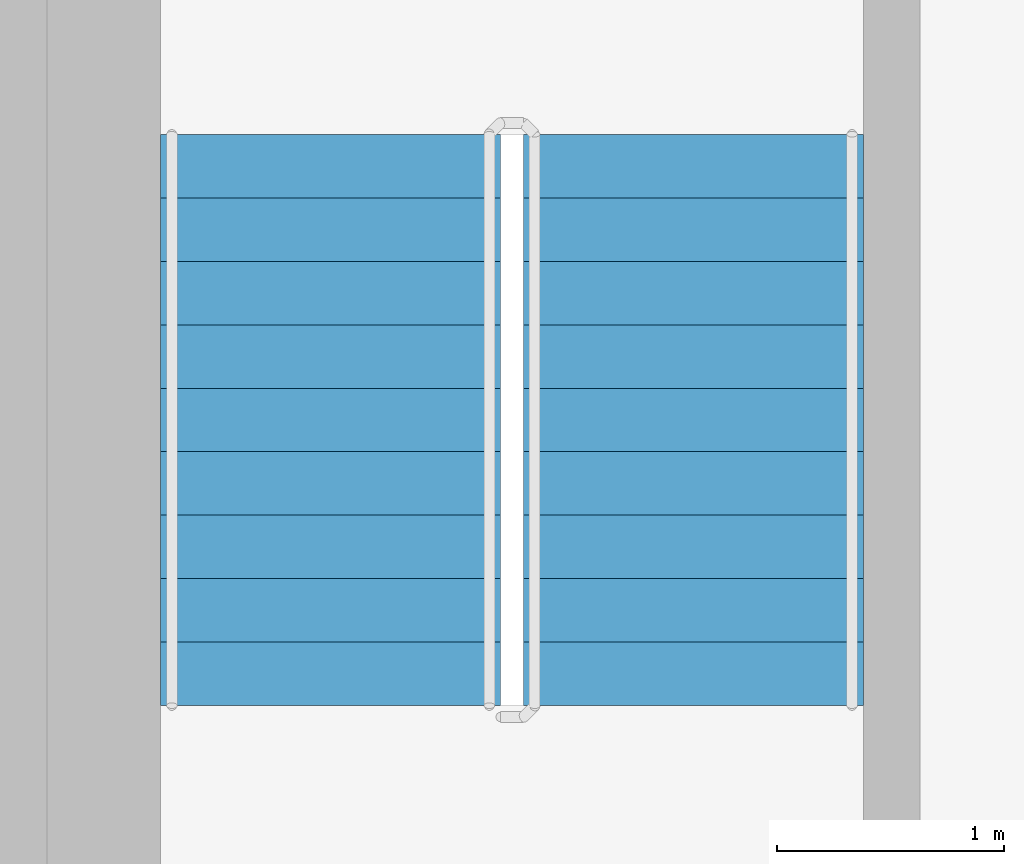
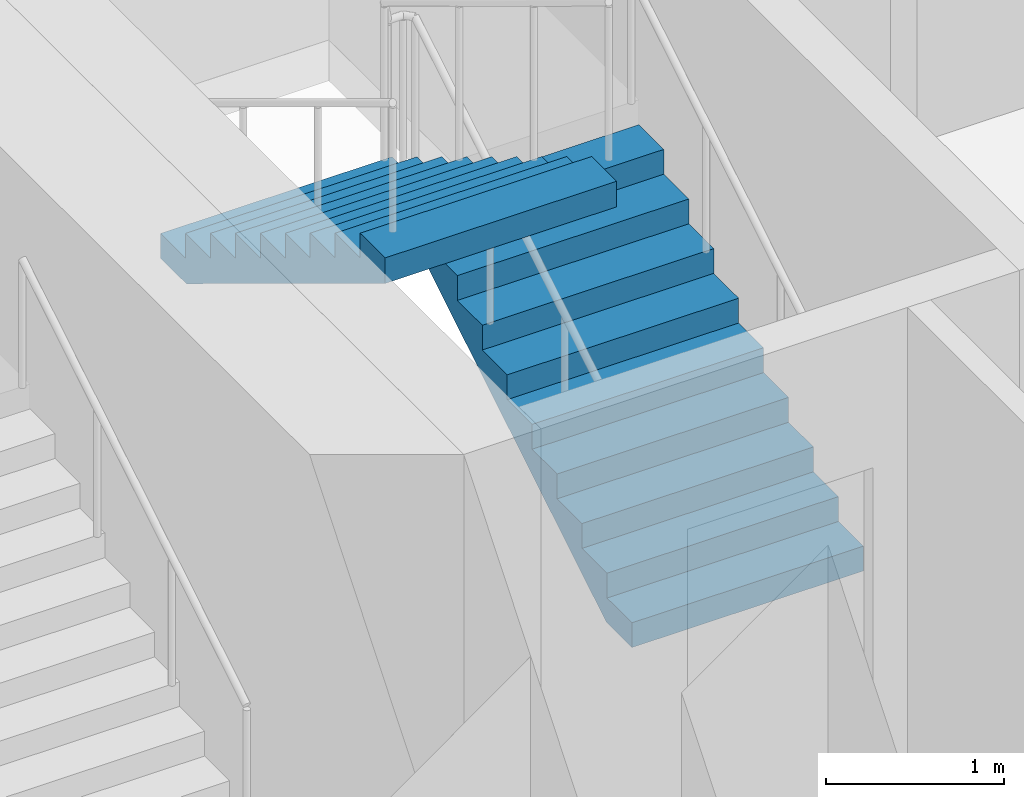
# One storey, part 12 of 20: 2 stair flights, 1 element without a shape of its own.
"""IFC4 building model written with IfcOpenShell, lengths in metres."""

from ifc_helpers import new_model, si_unit, direction, frame, origin, place, context, subcontext, project, spatial, triangles, source, transform, mapped, material, type_object, element, aggregate, save


model = new_model("IFC4")

# Units and contexts
model_context = context("Model", 3, precision=1e-05, world=origin(), true_north=direction((0.0, 1.0)))
body_context = subcontext(model_context, "Body", "Model", "MODEL_VIEW")
ifc_project = project(units=[si_unit("LENGTHUNIT", "METRE"), si_unit("AREAUNIT", "SQUARE_METRE"), si_unit("VOLUMEUNIT", "CUBIC_METRE"), si_unit("PLANEANGLEUNIT", "RADIAN"), si_unit("MASSUNIT", "GRAM", prefix="KILO")], contexts=[model_context])

# Site, building, storey
site_placement = place(None, origin())
site = spatial("IfcSite", under=ifc_project, at=site_placement, CompositionType="ELEMENT")
building_placement = place(site_placement, origin())
building = spatial("IfcBuilding", under=site, at=building_placement, Name="Kilnfold Tower and Market Hall", CompositionType="ELEMENT")
storey_placement = place(building_placement, frame((0.0, 0.0, 239.0)))
storey = spatial("IfcBuildingStorey", under=building, at=storey_placement, Name="L57", CompositionType="ELEMENT", Elevation=239.0)

# Stair, stair flights
ifc_material_1 = material(Name="Concrete C40/50", Category="concrete")
stair_type = type_object("IfcStairType", Name="CORE STAIR 1500", PredefinedType="HALF_TURN_STAIR", material=ifc_material_1)
stair_placement = place(storey_placement, origin())
stair = element("IfcStair", 1, at=stair_placement, inside=storey, type_object=stair_type, Name="L57 ST5", PredefinedType="HALF_TURN_STAIR")
ifc_material_2 = material(Name="Concrete C40/50", Category="concrete")
stair_flight_type = type_object("IfcStairFlightType", Name="CORE STAIR FLIGHT 1500", PredefinedType="STRAIGHT", material=ifc_material_2)
shared_shape = source(origin(), body_context, "Body", "Tessellation", [
    triangles([(0.0, 0.75, 0.0), (0.0, 0.65625, 0.0), (0.0, 0.5625, 0.0), (0.0, 0.46875, 0.0), (0.0, 0.375, 0.0), (0.0, 0.28125, 0.0), (0.0, 0.1875, 0.0), (0.0, 0.09375, 0.0), (0.0, 0.0, 0.0), (0.0, -0.09375, 0.0), (0.0, -0.1875, 0.0), (0.0, -0.28125, 0.0), (0.0, -0.375, 0.0), (0.0, -0.46875, 0.0), (0.0, -0.5625, 0.0), (0.0, -0.65625, 0.0), (0.0, -0.75, 0.0), (0.0, 0.75, 0.169921875), (0.0, 0.65625, 0.169921875), (0.0, 0.5625, 0.169921875), (0.0, 0.46875, 0.169921875), (0.0, 0.375, 0.169921875), (0.0, 0.28125, 0.169921875), (0.0, 0.1875, 0.169921875), (0.0, 0.09375, 0.169921875), (0.0, 0.0, 0.169921875), (0.0, -0.09375, 0.169921875), (0.0, -0.1875, 0.169921875), (0.0, -0.28125, 0.169921875), (0.0, -0.375, 0.169921875), (0.0, -0.46875, 0.169921875), (0.0, -0.5625, 0.169921875), (0.0, -0.65625, 0.169921875), (0.0, -0.75, 0.169921875), (0.280029296875, 0.75, 0.169921875), (0.280029296875, 0.65625, 0.169921875), (0.280029296875, 0.5625, 0.169921875), (0.280029296875, 0.46875, 0.169921875), (0.280029296875, 0.375, 0.169921875), (0.280029296875, 0.28125, 0.169921875), (0.280029296875, 0.1875, 0.169921875), (0.280029296875, 0.09375, 0.169921875), (0.280029296875, 0.0, 0.169921875), (0.280029296875, -0.09375, 0.169921875), (0.280029296875, -0.1875, 0.169921875), (0.280029296875, -0.28125, 0.169921875), (0.280029296875, -0.375, 0.169921875), (0.280029296875, -0.46875, 0.169921875), (0.280029296875, -0.5625, 0.169921875), (0.280029296875, -0.65625, 0.169921875), (0.280029296875, -0.75, 0.169921875), (0.280029296875, 0.75, 0.340087890625), (0.280029296875, 0.65625, 0.340087890625), (0.280029296875, 0.5625, 0.340087890625), (0.280029296875, 0.46875, 0.340087890625), (0.280029296875, 0.375, 0.340087890625), (0.280029296875, 0.28125, 0.340087890625), (0.280029296875, 0.1875, 0.340087890625), (0.280029296875, 0.09375, 0.340087890625), (0.280029296875, 0.0, 0.340087890625), (0.280029296875, -0.09375, 0.340087890625), (0.280029296875, -0.1875, 0.340087890625), (0.280029296875, -0.28125, 0.340087890625), (0.280029296875, -0.375, 0.340087890625), (0.280029296875, -0.46875, 0.340087890625), (0.280029296875, -0.5625, 0.340087890625), (0.280029296875, -0.65625, 0.340087890625), (0.280029296875, -0.75, 0.340087890625), (0.56005859375, 0.75, 0.340087890625), (0.56005859375, 0.65625, 0.340087890625), (0.56005859375, 0.5625, 0.340087890625), (0.56005859375, 0.46875, 0.340087890625), (0.56005859375, 0.375, 0.340087890625), (0.56005859375, 0.28125, 0.340087890625), (0.56005859375, 0.1875, 0.340087890625), (0.56005859375, 0.09375, 0.340087890625), (0.56005859375, 0.0, 0.340087890625), (0.56005859375, -0.09375, 0.340087890625), (0.56005859375, -0.1875, 0.340087890625), (0.56005859375, -0.28125, 0.340087890625), (0.56005859375, -0.375, 0.340087890625), (0.56005859375, -0.46875, 0.340087890625), (0.56005859375, -0.5625, 0.340087890625), (0.56005859375, -0.65625, 0.340087890625), (0.56005859375, -0.75, 0.340087890625), (0.56005859375, 0.75, 0.510009765625), (0.56005859375, 0.65625, 0.510009765625), (0.56005859375, 0.5625, 0.510009765625), (0.56005859375, 0.46875, 0.510009765625), (0.56005859375, 0.375, 0.510009765625), (0.56005859375, 0.28125, 0.510009765625), (0.56005859375, 0.1875, 0.510009765625), (0.56005859375, 0.09375, 0.510009765625), (0.56005859375, 0.0, 0.510009765625), (0.56005859375, -0.09375, 0.510009765625), (0.56005859375, -0.1875, 0.510009765625), (0.56005859375, -0.28125, 0.510009765625), (0.56005859375, -0.375, 0.510009765625), (0.56005859375, -0.46875, 0.510009765625), (0.56005859375, -0.5625, 0.510009765625), (0.56005859375, -0.65625, 0.510009765625), (0.56005859375, -0.75, 0.510009765625), (0.840087890625, 0.75, 0.510009765625), (0.840087890625, 0.65625, 0.510009765625), (0.840087890625, 0.5625, 0.510009765625), (0.840087890625, 0.46875, 0.510009765625), (0.840087890625, 0.375, 0.510009765625), (0.840087890625, 0.28125, 0.510009765625), (0.840087890625, 0.1875, 0.510009765625), (0.840087890625, 0.09375, 0.510009765625), (0.840087890625, 0.0, 0.510009765625), (0.840087890625, -0.09375, 0.510009765625), (0.840087890625, -0.1875, 0.510009765625), (0.840087890625, -0.28125, 0.510009765625), (0.840087890625, -0.375, 0.510009765625), (0.840087890625, -0.46875, 0.510009765625), (0.840087890625, -0.5625, 0.510009765625), (0.840087890625, -0.65625, 0.510009765625), (0.840087890625, -0.75, 0.510009765625), (0.840087890625, 0.75, 0.679931640625), (0.840087890625, 0.65625, 0.679931640625), (0.840087890625, 0.5625, 0.679931640625), (0.840087890625, 0.46875, 0.679931640625), (0.840087890625, 0.375, 0.679931640625), (0.840087890625, 0.28125, 0.679931640625), (0.840087890625, 0.1875, 0.679931640625), (0.840087890625, 0.09375, 0.679931640625), (0.840087890625, 0.0, 0.679931640625), (0.840087890625, -0.09375, 0.679931640625), (0.840087890625, -0.1875, 0.679931640625), (0.840087890625, -0.28125, 0.679931640625), (0.840087890625, -0.375, 0.679931640625), (0.840087890625, -0.46875, 0.679931640625), (0.840087890625, -0.5625, 0.679931640625), (0.840087890625, -0.65625, 0.679931640625), (0.840087890625, -0.75, 0.679931640625), (1.1201171875, 0.75, 0.679931640625), (1.1201171875, 0.65625, 0.679931640625), (1.1201171875, 0.5625, 0.679931640625), (1.1201171875, 0.46875, 0.679931640625), (1.1201171875, 0.375, 0.679931640625), (1.1201171875, 0.28125, 0.679931640625), (1.1201171875, 0.1875, 0.679931640625), (1.1201171875, 0.09375, 0.679931640625), (1.1201171875, 0.0, 0.679931640625), (1.1201171875, -0.09375, 0.679931640625), (1.1201171875, -0.1875, 0.679931640625), (1.1201171875, -0.28125, 0.679931640625), (1.1201171875, -0.375, 0.679931640625), (1.1201171875, -0.46875, 0.679931640625), (1.1201171875, -0.5625, 0.679931640625), (1.1201171875, -0.65625, 0.679931640625), (1.1201171875, -0.75, 0.679931640625), (1.1201171875, 0.75, 0.85009765625), (1.1201171875, 0.65625, 0.85009765625), (1.1201171875, 0.5625, 0.85009765625), (1.1201171875, 0.46875, 0.85009765625), (1.1201171875, 0.375, 0.85009765625), (1.1201171875, 0.28125, 0.85009765625), (1.1201171875, 0.1875, 0.85009765625), (1.1201171875, 0.09375, 0.85009765625), (1.1201171875, 0.0, 0.85009765625), (1.1201171875, -0.09375, 0.85009765625), (1.1201171875, -0.1875, 0.85009765625), (1.1201171875, -0.28125, 0.85009765625), (1.1201171875, -0.375, 0.85009765625), (1.1201171875, -0.46875, 0.85009765625), (1.1201171875, -0.5625, 0.85009765625), (1.1201171875, -0.65625, 0.85009765625), (1.1201171875, -0.75, 0.85009765625), (1.39990234375, 0.75, 0.85009765625), (1.39990234375, 0.65625, 0.85009765625), (1.39990234375, 0.5625, 0.85009765625), (1.39990234375, 0.46875, 0.85009765625), (1.39990234375, 0.375, 0.85009765625), (1.39990234375, 0.28125, 0.85009765625), (1.39990234375, 0.1875, 0.85009765625), (1.39990234375, 0.09375, 0.85009765625), (1.39990234375, 0.0, 0.85009765625), (1.39990234375, -0.09375, 0.85009765625), (1.39990234375, -0.1875, 0.85009765625), (1.39990234375, -0.28125, 0.85009765625), (1.39990234375, -0.375, 0.85009765625), (1.39990234375, -0.46875, 0.85009765625), (1.39990234375, -0.5625, 0.85009765625), (1.39990234375, -0.65625, 0.85009765625), (1.39990234375, -0.75, 0.85009765625), (1.39990234375, 0.75, 1.02001953125), (1.39990234375, 0.65625, 1.02001953125), (1.39990234375, 0.5625, 1.02001953125), (1.39990234375, 0.46875, 1.02001953125), (1.39990234375, 0.375, 1.02001953125), (1.39990234375, 0.28125, 1.02001953125), (1.39990234375, 0.1875, 1.02001953125), (1.39990234375, 0.09375, 1.02001953125), (1.39990234375, 0.0, 1.02001953125), (1.39990234375, -0.09375, 1.02001953125), (1.39990234375, -0.1875, 1.02001953125), (1.39990234375, -0.28125, 1.02001953125), (1.39990234375, -0.375, 1.02001953125), (1.39990234375, -0.46875, 1.02001953125), (1.39990234375, -0.5625, 1.02001953125), (1.39990234375, -0.65625, 1.02001953125), (1.39990234375, -0.75, 1.02001953125), (1.679931640625, 0.75, 1.02001953125), (1.679931640625, 0.65625, 1.02001953125), (1.679931640625, 0.5625, 1.02001953125), (1.679931640625, 0.46875, 1.02001953125), (1.679931640625, 0.375, 1.02001953125), (1.679931640625, 0.28125, 1.02001953125), (1.679931640625, 0.1875, 1.02001953125), (1.679931640625, 0.09375, 1.02001953125), (1.679931640625, 0.0, 1.02001953125), (1.679931640625, -0.09375, 1.02001953125), (1.679931640625, -0.1875, 1.02001953125), (1.679931640625, -0.28125, 1.02001953125), (1.679931640625, -0.375, 1.02001953125), (1.679931640625, -0.46875, 1.02001953125), (1.679931640625, -0.5625, 1.02001953125), (1.679931640625, -0.65625, 1.02001953125), (1.679931640625, -0.75, 1.02001953125), (1.679931640625, 0.75, 1.18994140625), (1.679931640625, 0.65625, 1.18994140625), (1.679931640625, 0.5625, 1.18994140625), (1.679931640625, 0.46875, 1.18994140625), (1.679931640625, 0.375, 1.18994140625), (1.679931640625, 0.28125, 1.18994140625), (1.679931640625, 0.1875, 1.18994140625), (1.679931640625, 0.09375, 1.18994140625), (1.679931640625, 0.0, 1.18994140625), (1.679931640625, -0.09375, 1.18994140625), (1.679931640625, -0.1875, 1.18994140625), (1.679931640625, -0.28125, 1.18994140625), (1.679931640625, -0.375, 1.18994140625), (1.679931640625, -0.46875, 1.18994140625), (1.679931640625, -0.5625, 1.18994140625), (1.679931640625, -0.65625, 1.18994140625), (1.679931640625, -0.75, 1.18994140625), (1.9599609375, 0.75, 1.18994140625), (1.9599609375, 0.65625, 1.18994140625), (1.9599609375, 0.5625, 1.18994140625), (1.9599609375, 0.46875, 1.18994140625), (1.9599609375, 0.375, 1.18994140625), (1.9599609375, 0.28125, 1.18994140625), (1.9599609375, 0.1875, 1.18994140625), (1.9599609375, 0.09375, 1.18994140625), (1.9599609375, 0.0, 1.18994140625), (1.9599609375, -0.09375, 1.18994140625), (1.9599609375, -0.1875, 1.18994140625), (1.9599609375, -0.28125, 1.18994140625), (1.9599609375, -0.375, 1.18994140625), (1.9599609375, -0.46875, 1.18994140625), (1.9599609375, -0.5625, 1.18994140625), (1.9599609375, -0.65625, 1.18994140625), (1.9599609375, -0.75, 1.18994140625), (1.9599609375, 0.75, 1.360107421875), (1.9599609375, 0.65625, 1.360107421875), (1.9599609375, 0.5625, 1.360107421875), (1.9599609375, 0.46875, 1.360107421875), (1.9599609375, 0.375, 1.360107421875), (1.9599609375, 0.28125, 1.360107421875), (1.9599609375, 0.1875, 1.360107421875), (1.9599609375, 0.09375, 1.360107421875), (1.9599609375, 0.0, 1.360107421875), (1.9599609375, -0.09375, 1.360107421875), (1.9599609375, -0.1875, 1.360107421875), (1.9599609375, -0.28125, 1.360107421875), (1.9599609375, -0.375, 1.360107421875), (1.9599609375, -0.46875, 1.360107421875), (1.9599609375, -0.5625, 1.360107421875), (1.9599609375, -0.65625, 1.360107421875), (1.9599609375, -0.75, 1.360107421875), (2.239990234375, 0.75, 1.360107421875), (2.239990234375, 0.65625, 1.360107421875), (2.239990234375, 0.5625, 1.360107421875), (2.239990234375, 0.46875, 1.360107421875), (2.239990234375, 0.375, 1.360107421875), (2.239990234375, 0.28125, 1.360107421875), (2.239990234375, 0.1875, 1.360107421875), (2.239990234375, 0.09375, 1.360107421875), (2.239990234375, 0.0, 1.360107421875), (2.239990234375, -0.09375, 1.360107421875), (2.239990234375, -0.1875, 1.360107421875), (2.239990234375, -0.28125, 1.360107421875), (2.239990234375, -0.375, 1.360107421875), (2.239990234375, -0.46875, 1.360107421875), (2.239990234375, -0.5625, 1.360107421875), (2.239990234375, -0.65625, 1.360107421875), (2.239990234375, -0.75, 1.360107421875), (2.239990234375, 0.75, 1.530029296875), (2.239990234375, 0.65625, 1.530029296875), (2.239990234375, 0.5625, 1.530029296875), (2.239990234375, 0.46875, 1.530029296875), (2.239990234375, 0.375, 1.530029296875), (2.239990234375, 0.28125, 1.530029296875), (2.239990234375, 0.1875, 1.530029296875), (2.239990234375, 0.09375, 1.530029296875), (2.239990234375, 0.0, 1.530029296875), (2.239990234375, -0.09375, 1.530029296875), (2.239990234375, -0.1875, 1.530029296875), (2.239990234375, -0.28125, 1.530029296875), (2.239990234375, -0.375, 1.530029296875), (2.239990234375, -0.46875, 1.530029296875), (2.239990234375, -0.5625, 1.530029296875), (2.239990234375, -0.65625, 1.530029296875), (2.239990234375, -0.75, 1.530029296875), (2.52001953125, 0.75, 1.530029296875), (2.52001953125, 0.65625, 1.530029296875), (2.52001953125, 0.5625, 1.530029296875), (2.52001953125, 0.46875, 1.530029296875), (2.52001953125, 0.375, 1.530029296875), (2.52001953125, 0.28125, 1.530029296875), (2.52001953125, 0.1875, 1.530029296875), (2.52001953125, 0.09375, 1.530029296875), (2.52001953125, 0.0, 1.530029296875), (2.52001953125, -0.09375, 1.530029296875), (2.52001953125, -0.1875, 1.530029296875), (2.52001953125, -0.28125, 1.530029296875), (2.52001953125, -0.375, 1.530029296875), (2.52001953125, -0.46875, 1.530029296875), (2.52001953125, -0.5625, 1.530029296875), (2.52001953125, -0.65625, 1.530029296875), (2.52001953125, -0.75, 1.530029296875), (2.52001953125, 0.75, 1.354736328125), (2.52001953125, 0.65625, 1.354736328125), (2.52001953125, 0.5625, 1.354736328125), (2.52001953125, 0.46875, 1.354736328125), (2.52001953125, 0.375, 1.354736328125), (2.52001953125, 0.28125, 1.354736328125), (2.52001953125, 0.1875, 1.354736328125), (2.52001953125, 0.09375, 1.354736328125), (2.52001953125, 0.0, 1.354736328125), (2.52001953125, -0.09375, 1.354736328125), (2.52001953125, -0.1875, 1.354736328125), (2.52001953125, -0.28125, 1.354736328125), (2.52001953125, -0.375, 1.354736328125), (2.52001953125, -0.46875, 1.354736328125), (2.52001953125, -0.5625, 1.354736328125), (2.52001953125, -0.65625, 1.354736328125), (2.52001953125, -0.75, 1.354736328125), (0.288818359375, 0.75, 0.0), (0.288818359375, 0.65625, 0.0), (0.288818359375, 0.5625, 0.0), (0.288818359375, 0.46875, 0.0), (0.288818359375, 0.375, 0.0), (0.288818359375, 0.28125, 0.0), (0.288818359375, 0.1875, 0.0), (0.288818359375, 0.09375, 0.0), (0.288818359375, 0.0, 0.0), (0.288818359375, -0.09375, 0.0), (0.288818359375, -0.1875, 0.0), (0.288818359375, -0.28125, 0.0), (0.288818359375, -0.375, 0.0), (0.288818359375, -0.46875, 0.0), (0.288818359375, -0.5625, 0.0), (0.288818359375, -0.65625, 0.0), (0.288818359375, -0.75, 0.0)], [[1, 324, 341], [17, 357, 340], [324, 290, 307], [340, 323, 306], [324, 273, 290], [340, 306, 289], [324, 256, 273], [340, 289, 272], [324, 239, 256], [340, 272, 255], [239, 205, 222], [255, 238, 221], [324, 205, 239], [340, 255, 221], [205, 171, 188], [221, 204, 187], [324, 171, 205], [340, 221, 187], [171, 137, 154], [187, 170, 153], [324, 137, 171], [340, 187, 153], [137, 103, 120], [153, 136, 119], [324, 103, 137], [340, 153, 119], [103, 69, 86], [119, 102, 85], [324, 69, 103], [340, 119, 85], [69, 35, 52], [85, 68, 51], [324, 35, 69], [340, 85, 51], [1, 35, 324], [17, 340, 51], [35, 1, 18], [51, 34, 17], [1, 19, 18], [1, 2, 19], [2, 20, 19], [2, 3, 20], [3, 21, 20], [3, 4, 21], [4, 22, 21], [4, 5, 22], [5, 23, 22], [5, 6, 23], [6, 24, 23], [6, 7, 24], [7, 25, 24], [7, 8, 25], [8, 26, 25], [8, 9, 26], [9, 27, 26], [9, 10, 27], [10, 28, 27], [10, 11, 28], [11, 29, 28], [11, 12, 29], [12, 30, 29], [12, 13, 30], [13, 31, 30], [13, 14, 31], [14, 32, 31], [14, 15, 32], [15, 33, 32], [15, 16, 33], [16, 34, 33], [16, 17, 34], [18, 36, 35], [18, 19, 36], [19, 37, 36], [19, 20, 37], [20, 38, 37], [20, 21, 38], [21, 39, 38], [21, 22, 39], [22, 40, 39], [22, 23, 40], [23, 41, 40], [23, 24, 41], [24, 42, 41], [24, 25, 42], [25, 43, 42], [25, 26, 43], [26, 44, 43], [26, 27, 44], [27, 45, 44], [27, 28, 45], [28, 46, 45], [28, 29, 46], [29, 47, 46], [29, 30, 47], [30, 48, 47], [30, 31, 48], [31, 49, 48], [31, 32, 49], [32, 50, 49], [32, 33, 50], [33, 51, 50], [33, 34, 51], [35, 53, 52], [35, 36, 53], [36, 54, 53], [36, 37, 54], [37, 55, 54], [37, 38, 55], [38, 56, 55], [38, 39, 56], [39, 57, 56], [39, 40, 57], [40, 58, 57], [40, 41, 58], [41, 59, 58], [41, 42, 59], [42, 60, 59], [42, 43, 60], [43, 61, 60], [43, 44, 61], [44, 62, 61], [44, 45, 62], [45, 63, 62], [45, 46, 63], [46, 64, 63], [46, 47, 64], [47, 65, 64], [47, 48, 65], [48, 66, 65], [48, 49, 66], [49, 67, 66], [49, 50, 67], [50, 68, 67], [50, 51, 68], [52, 70, 69], [52, 53, 70], [53, 71, 70], [53, 54, 71], [54, 72, 71], [54, 55, 72], [55, 73, 72], [55, 56, 73], [56, 74, 73], [56, 57, 74], [57, 75, 74], [57, 58, 75], [58, 76, 75], [58, 59, 76], [59, 77, 76], [59, 60, 77], [60, 78, 77], [60, 61, 78], [61, 79, 78], [61, 62, 79], [62, 80, 79], [62, 63, 80], [63, 81, 80], [63, 64, 81], [64, 82, 81], [64, 65, 82], [65, 83, 82], [65, 66, 83], [66, 84, 83], [66, 67, 84], [67, 85, 84], [67, 68, 85], [69, 87, 86], [69, 70, 87], [70, 88, 87], [70, 71, 88], [71, 89, 88], [71, 72, 89], [72, 90, 89], [72, 73, 90], [73, 91, 90], [73, 74, 91], [74, 92, 91], [74, 75, 92], [75, 93, 92], [75, 76, 93], [76, 94, 93], [76, 77, 94], [77, 95, 94], [77, 78, 95], [78, 96, 95], [78, 79, 96], [79, 97, 96], [79, 80, 97], [80, 98, 97], [80, 81, 98], [81, 99, 98], [81, 82, 99], [82, 100, 99], [82, 83, 100], [83, 101, 100], [83, 84, 101], [84, 102, 101], [84, 85, 102], [86, 104, 103], [86, 87, 104], [87, 105, 104], [87, 88, 105], [88, 106, 105], [88, 89, 106], [89, 107, 106], [89, 90, 107], [90, 108, 107], [90, 91, 108], [91, 109, 108], [91, 92, 109], [92, 110, 109], [92, 93, 110], [93, 111, 110], [93, 94, 111], [94, 112, 111], [94, 95, 112], [95, 113, 112], [95, 96, 113], [96, 114, 113], [96, 97, 114], [97, 115, 114], [97, 98, 115], [98, 116, 115], [98, 99, 116], [99, 117, 116], [99, 100, 117], [100, 118, 117], [100, 101, 118], [101, 119, 118], [101, 102, 119], [103, 121, 120], [103, 104, 121], [104, 122, 121], [104, 105, 122], [105, 123, 122], [105, 106, 123], [106, 124, 123], [106, 107, 124], [107, 125, 124], [107, 108, 125], [108, 126, 125], [108, 109, 126], [109, 127, 126], [109, 110, 127], [110, 128, 127], [110, 111, 128], [111, 129, 128], [111, 112, 129], [112, 130, 129], [112, 113, 130], [113, 131, 130], [113, 114, 131], [114, 132, 131], [114, 115, 132], [115, 133, 132], [115, 116, 133], [116, 134, 133], [116, 117, 134], [117, 135, 134], [117, 118, 135], [118, 136, 135], [118, 119, 136], [120, 138, 137], [120, 121, 138], [121, 139, 138], [121, 122, 139], [122, 140, 139], [122, 123, 140], [123, 141, 140], [123, 124, 141], [124, 142, 141], [124, 125, 142], [125, 143, 142], [125, 126, 143], [126, 144, 143], [126, 127, 144], [127, 145, 144], [127, 128, 145], [128, 146, 145], [128, 129, 146], [129, 147, 146], [129, 130, 147], [130, 148, 147], [130, 131, 148], [131, 149, 148], [131, 132, 149], [132, 150, 149], [132, 133, 150], [133, 151, 150], [133, 134, 151], [134, 152, 151], [134, 135, 152], [135, 153, 152], [135, 136, 153], [137, 155, 154], [137, 138, 155], [138, 156, 155], [138, 139, 156], [139, 157, 156], [139, 140, 157], [140, 158, 157], [140, 141, 158], [141, 159, 158], [141, 142, 159], [142, 160, 159], [142, 143, 160], [143, 161, 160], [143, 144, 161], [144, 162, 161], [144, 145, 162], [145, 163, 162], [145, 146, 163], [146, 164, 163], [146, 147, 164], [147, 165, 164], [147, 148, 165], [148, 166, 165], [148, 149, 166], [149, 167, 166], [149, 150, 167], [150, 168, 167], [150, 151, 168], [151, 169, 168], [151, 152, 169], [152, 170, 169], [152, 153, 170], [154, 172, 171], [154, 155, 172], [155, 173, 172], [155, 156, 173], [156, 174, 173], [156, 157, 174], [157, 175, 174], [157, 158, 175], [158, 176, 175], [158, 159, 176], [159, 177, 176], [159, 160, 177], [160, 178, 177], [160, 161, 178], [161, 179, 178], [161, 162, 179], [162, 180, 179], [162, 163, 180], [163, 181, 180], [163, 164, 181], [164, 182, 181], [164, 165, 182], [165, 183, 182], [165, 166, 183], [166, 184, 183], [166, 167, 184], [167, 185, 184], [167, 168, 185], [168, 186, 185], [168, 169, 186], [169, 187, 186], [169, 170, 187], [171, 189, 188], [171, 172, 189], [172, 190, 189], [172, 173, 190], [173, 191, 190], [173, 174, 191], [174, 192, 191], [174, 175, 192], [175, 193, 192], [175, 176, 193], [176, 194, 193], [176, 177, 194], [177, 195, 194], [177, 178, 195], [178, 196, 195], [178, 179, 196], [179, 197, 196], [179, 180, 197], [180, 198, 197], [180, 181, 198], [181, 199, 198], [181, 182, 199], [182, 200, 199], [182, 183, 200], [183, 201, 200], [183, 184, 201], [184, 202, 201], [184, 185, 202], [185, 203, 202], [185, 186, 203], [186, 204, 203], [186, 187, 204], [188, 206, 205], [188, 189, 206], [189, 207, 206], [189, 190, 207], [190, 208, 207], [190, 191, 208], [191, 209, 208], [191, 192, 209], [192, 210, 209], [192, 193, 210], [193, 211, 210], [193, 194, 211], [194, 212, 211], [194, 195, 212], [195, 213, 212], [195, 196, 213], [196, 214, 213], [196, 197, 214], [197, 215, 214], [197, 198, 215], [198, 216, 215], [198, 199, 216], [199, 217, 216], [199, 200, 217], [200, 218, 217], [200, 201, 218], [201, 219, 218], [201, 202, 219], [202, 220, 219], [202, 203, 220], [203, 221, 220], [203, 204, 221], [205, 223, 222], [205, 206, 223], [206, 224, 223], [206, 207, 224], [207, 225, 224], [207, 208, 225], [208, 226, 225], [208, 209, 226], [209, 227, 226], [209, 210, 227], [210, 228, 227], [210, 211, 228], [211, 229, 228], [211, 212, 229], [212, 230, 229], [212, 213, 230], [213, 231, 230], [213, 214, 231], [214, 232, 231], [214, 215, 232], [215, 233, 232], [215, 216, 233], [216, 234, 233], [216, 217, 234], [217, 235, 234], [217, 218, 235], [218, 236, 235], [218, 219, 236], [219, 237, 236], [219, 220, 237], [220, 238, 237], [220, 221, 238], [222, 240, 239], [222, 223, 240], [223, 241, 240], [223, 224, 241], [224, 242, 241], [224, 225, 242], [225, 243, 242], [225, 226, 243], [226, 244, 243], [226, 227, 244], [227, 245, 244], [227, 228, 245], [228, 246, 245], [228, 229, 246], [229, 247, 246], [229, 230, 247], [230, 248, 247], [230, 231, 248], [231, 249, 248], [231, 232, 249], [232, 250, 249], [232, 233, 250], [233, 251, 250], [233, 234, 251], [234, 252, 251], [234, 235, 252], [235, 253, 252], [235, 236, 253], [236, 254, 253], [236, 237, 254], [237, 255, 254], [237, 238, 255], [239, 257, 256], [239, 240, 257], [240, 258, 257], [240, 241, 258], [241, 259, 258], [241, 242, 259], [242, 260, 259], [242, 243, 260], [243, 261, 260], [243, 244, 261], [244, 262, 261], [244, 245, 262], [245, 263, 262], [245, 246, 263], [246, 264, 263], [246, 247, 264], [247, 265, 264], [247, 248, 265], [248, 266, 265], [248, 249, 266], [249, 267, 266], [249, 250, 267], [250, 268, 267], [250, 251, 268], [251, 269, 268], [251, 252, 269], [252, 270, 269], [252, 253, 270], [253, 271, 270], [253, 254, 271], [254, 272, 271], [254, 255, 272], [256, 274, 273], [256, 257, 274], [257, 275, 274], [257, 258, 275], [258, 276, 275], [258, 259, 276], [259, 277, 276], [259, 260, 277], [260, 278, 277], [260, 261, 278], [261, 279, 278], [261, 262, 279], [262, 280, 279], [262, 263, 280], [263, 281, 280], [263, 264, 281], [264, 282, 281], [264, 265, 282], [265, 283, 282], [265, 266, 283], [266, 284, 283], [266, 267, 284], [267, 285, 284], [267, 268, 285], [268, 286, 285], [268, 269, 286], [269, 287, 286], [269, 270, 287], [270, 288, 287], [270, 271, 288], [271, 289, 288], [271, 272, 289], [273, 291, 290], [273, 274, 291], [274, 292, 291], [274, 275, 292], [275, 293, 292], [275, 276, 293], [276, 294, 293], [276, 277, 294], [277, 295, 294], [277, 278, 295], [278, 296, 295], [278, 279, 296], [279, 297, 296], [279, 280, 297], [280, 298, 297], [280, 281, 298], [281, 299, 298], [281, 282, 299], [282, 300, 299], [282, 283, 300], [283, 301, 300], [283, 284, 301], [284, 302, 301], [284, 285, 302], [285, 303, 302], [285, 286, 303], [286, 304, 303], [286, 287, 304], [287, 305, 304], [287, 288, 305], [288, 306, 305], [288, 289, 306], [290, 308, 307], [290, 291, 308], [291, 309, 308], [291, 292, 309], [292, 310, 309], [292, 293, 310], [293, 311, 310], [293, 294, 311], [294, 312, 311], [294, 295, 312], [295, 313, 312], [295, 296, 313], [296, 314, 313], [296, 297, 314], [297, 315, 314], [297, 298, 315], [298, 316, 315], [298, 299, 316], [299, 317, 316], [299, 300, 317], [300, 318, 317], [300, 301, 318], [301, 319, 318], [301, 302, 319], [302, 320, 319], [302, 303, 320], [303, 321, 320], [303, 304, 321], [304, 322, 321], [304, 305, 322], [305, 323, 322], [305, 306, 323], [307, 325, 324], [307, 308, 325], [308, 326, 325], [308, 309, 326], [309, 327, 326], [309, 310, 327], [310, 328, 327], [310, 311, 328], [311, 329, 328], [311, 312, 329], [312, 330, 329], [312, 313, 330], [313, 331, 330], [313, 314, 331], [314, 332, 331], [314, 315, 332], [315, 333, 332], [315, 316, 333], [316, 334, 333], [316, 317, 334], [317, 335, 334], [317, 318, 335], [318, 336, 335], [318, 319, 336], [319, 337, 336], [319, 320, 337], [320, 338, 337], [320, 321, 338], [321, 339, 338], [321, 322, 339], [322, 340, 339], [322, 323, 340], [324, 342, 341], [324, 325, 342], [325, 343, 342], [325, 326, 343], [326, 344, 343], [326, 327, 344], [327, 345, 344], [327, 328, 345], [328, 346, 345], [328, 329, 346], [329, 347, 346], [329, 330, 347], [330, 348, 347], [330, 331, 348], [331, 349, 348], [331, 332, 349], [332, 350, 349], [332, 333, 350], [333, 351, 350], [333, 334, 351], [334, 352, 351], [334, 335, 352], [335, 353, 352], [335, 336, 353], [336, 354, 353], [336, 337, 354], [337, 355, 354], [337, 338, 355], [338, 356, 355], [338, 339, 356], [339, 357, 356], [339, 340, 357], [341, 2, 1], [341, 342, 2], [342, 3, 2], [342, 343, 3], [343, 4, 3], [343, 344, 4], [344, 5, 4], [344, 345, 5], [345, 6, 5], [345, 346, 6], [346, 7, 6], [346, 347, 7], [347, 8, 7], [347, 348, 8], [348, 9, 8], [348, 349, 9], [349, 10, 9], [349, 350, 10], [350, 11, 10], [350, 351, 11], [351, 12, 11], [351, 352, 12], [352, 13, 12], [352, 353, 13], [353, 14, 13], [353, 354, 14], [354, 15, 14], [354, 355, 15], [355, 16, 15], [355, 356, 16], [356, 17, 16], [356, 357, 17]], closed=True),
])
stair_flight_1_placement = place(storey_placement, frame((20.699951171875, 11.5, 0.0), z_axis=(0.0, 0.0, 1.0), x_axis=(0.0, 1.0, 0.0)))
stair_flight_1 = element("IfcStairFlight", 2, at=stair_flight_1_placement, type_object=stair_flight_type, Name="ST5 flight 1", NumberOfRisers=10, NumberOfTreads=9, PredefinedType="STRAIGHT", RiserHeight=0.17, TreadLength=0.28, context=body_context, shape_type="MappedRepresentation", body=[
    mapped(shared_shape, transform((0.0, 0.0, 0.0))),
])
stair_flight_2_placement = place(storey_placement, frame((19.10009765625, 14.02001953125, 1.699951171875), z_axis=(0.0, 0.0, 1.0), x_axis=(0.0, -1.0, 0.0)))
stair_flight_2 = element("IfcStairFlight", 3, at=stair_flight_2_placement, type_object=stair_flight_type, Name="ST5 flight 2", NumberOfRisers=10, NumberOfTreads=9, PredefinedType="STRAIGHT", RiserHeight=0.17, TreadLength=0.28, context=body_context, shape_type="MappedRepresentation", body=[
    mapped(shared_shape, transform((0.0, 0.0, 0.0))),
])
aggregate(stair, [stair_flight_1, stair_flight_2])

save(model, "model.ifc")
